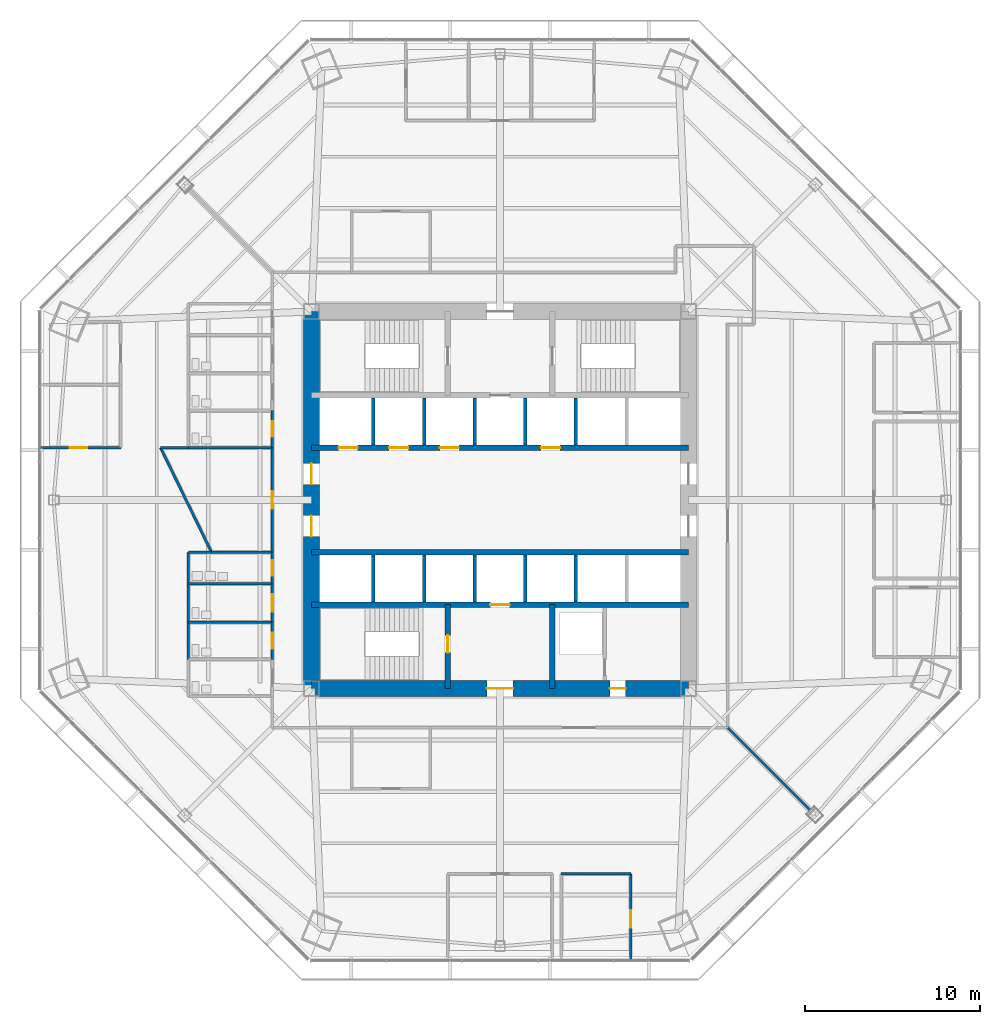
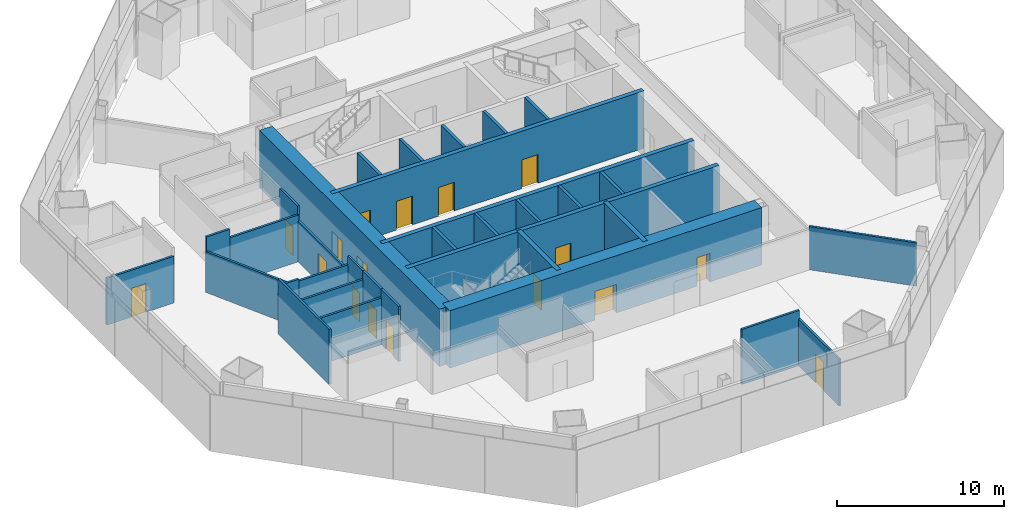
# One storey, part 10 of 15: 34 walls, 17 doors, 17 openings.
"""IFC4 building model written with IfcOpenShell, lengths in metres."""

from ifc_helpers import new_model, si_unit, direction, frame, frame_2d, origin, place, context, subcontext, project, spatial, rectangle, extrude, material, layer, layer_set, type_object, element, fill, save


model = new_model("IFC4")

# Units and contexts
model_context = context("Model", 3, precision=1e-05, world=origin(), true_north=direction((0.0, 1.0)))
body_context = subcontext(model_context, "Body", "Model", "MODEL_VIEW")
ifc_project = project(units=[si_unit("LENGTHUNIT", "METRE"), si_unit("AREAUNIT", "SQUARE_METRE"), si_unit("VOLUMEUNIT", "CUBIC_METRE"), si_unit("PLANEANGLEUNIT", "RADIAN"), si_unit("MASSUNIT", "GRAM", prefix="KILO")], contexts=[model_context])

# Site, building, storey
site_placement = place(None, origin())
site = spatial("IfcSite", under=ifc_project, at=site_placement, CompositionType="ELEMENT")
building_placement = place(site_placement, origin())
building = spatial("IfcBuilding", under=site, at=building_placement, Name="Mashrafa Tower", CompositionType="ELEMENT")
storey_placement = place(building_placement, frame((0.0, 0.0, 58.199951171875)))
storey = spatial("IfcBuildingStorey", under=building, at=storey_placement, Name="L12", CompositionType="ELEMENT", Elevation=58.199951171875)

# Wall, openings, doors
ifc_material_1 = material(Name="Concrete C60/75", Category="concrete")
ifc_layer_1 = layer(ifc_material_1, 0.300048828125)
ifc_layer_set_1 = layer_set([ifc_layer_1], Name="Core wall 300 C60/75")
wall_type_1 = type_object("IfcWallType", Name="Core wall 300 C60/75", PredefinedType="SOLIDWALL", material=ifc_layer_set_1)
wall_1_placement = place(storey_placement, frame((-10.800048828125, 3.0, 0.0), z_axis=(0.0, 0.0, 1.0), x_axis=(1.0, 0.0, 0.0)))
wall_1 = element("IfcWall", 1, at=wall_1_placement, inside=storey, type_object=wall_type_1, Name="Core wall CH-N L12", PredefinedType="SOLIDWALL", context=body_context, shape_type="SweptSolid", body=[
    extrude(rectangle(XDim=21.60009765625, YDim=0.300048828125, at=frame_2d((10.800048828125, 0.0))), origin(), (0.0, 0.0, 1.0), 4.199951171875),
])
opening_1_placement = place(wall_1_placement, frame((1.550048828125, 0.0, 0.0)))
opening_1 = element("IfcOpeningElement", 2, at=opening_1_placement, cuts=wall_1, Name="Opening 12.A1", PredefinedType="OPENING", context=body_context, shape_type="SweptSolid", body=[
    extrude(rectangle(XDim=1.10009765625, YDim=2.10009765625, at=frame_2d((0.550048828125, 1.050048828125))), frame((0.0, 0.159912109375, 0.0), z_axis=(0.0, -1.0, 0.0), x_axis=(1.0, 0.0, 0.0)), (0.0, 0.0, 1.0), 0.320068359375),
])
opening_2_placement = place(wall_1_placement, frame((4.449951171875, 0.0, 0.0)))
opening_2 = element("IfcOpeningElement", 3, at=opening_2_placement, cuts=wall_1, Name="Opening 12.A2", PredefinedType="OPENING", context=body_context, shape_type="SweptSolid", body=[
    extrude(rectangle(XDim=1.10009765625, YDim=2.10009765625, at=frame_2d((0.550048828125, 1.050048828125))), frame((0.0, 0.159912109375, 0.0), z_axis=(0.0, -1.0, 0.0), x_axis=(1.0, 0.0, 0.0)), (0.0, 0.0, 1.0), 0.320068359375),
])
opening_3_placement = place(wall_1_placement, frame((7.35009765625, 0.0, 0.0)))
opening_3 = element("IfcOpeningElement", 4, at=opening_3_placement, cuts=wall_1, Name="Opening 12.A3", PredefinedType="OPENING", context=body_context, shape_type="SweptSolid", body=[
    extrude(rectangle(XDim=1.10009765625, YDim=2.10009765625, at=frame_2d((0.550048828125, 1.050048828125))), frame((0.0, 0.159912109375, 0.0), z_axis=(0.0, -1.0, 0.0), x_axis=(1.0, 0.0, 0.0)), (0.0, 0.0, 1.0), 0.320068359375),
])
opening_4_placement = place(wall_1_placement, frame((13.14990234375, 0.0, 0.0)))
opening_4 = element("IfcOpeningElement", 5, at=opening_4_placement, cuts=wall_1, Name="Opening 12.A4", PredefinedType="OPENING", context=body_context, shape_type="SweptSolid", body=[
    extrude(rectangle(XDim=1.10009765625, YDim=2.10009765625, at=frame_2d((0.550048828125, 1.050048828125))), frame((0.0, 0.159912109375, 0.0), z_axis=(0.0, -1.0, 0.0), x_axis=(1.0, 0.0, 0.0)), (0.0, 0.0, 1.0), 0.320068359375),
])
ifc_material_2 = material(Name="Steel door", Category="steel")
door_type_1 = type_object("IfcDoorType", Name="Lift landing door 1100 x 2100 90 min", OperationType="DOUBLE_DOOR_SLIDING", PredefinedType="DOOR", material=ifc_material_2)
door_1_placement = place(opening_1_placement, origin())
door_1 = element("IfcDoor", 6, at=door_1_placement, inside=storey, type_object=door_type_1, Name="Lift landing door A1 L12", OperationType="DOUBLE_DOOR_SLIDING", OverallHeight=2.10009765625, OverallWidth=1.10009765625, PredefinedType="DOOR", context=body_context, shape_type="SweptSolid", body=[
    extrude(rectangle(XDim=1.10009765625, YDim=2.10009765625, at=frame_2d((0.550048828125, 1.050048828125))), frame((0.0, 0.02490234375, 0.0), z_axis=(0.0, -1.0, 0.0), x_axis=(1.0, 0.0, 0.0)), (0.0, 0.0, 1.0), 0.050048828125),
])
fill(opening_1, door_1)
door_2_placement = place(opening_2_placement, origin())
door_2 = element("IfcDoor", 7, at=door_2_placement, inside=storey, type_object=door_type_1, Name="Lift landing door A2 L12", OperationType="DOUBLE_DOOR_SLIDING", OverallHeight=2.10009765625, OverallWidth=1.10009765625, PredefinedType="DOOR", context=body_context, shape_type="SweptSolid", body=[
    extrude(rectangle(XDim=1.10009765625, YDim=2.10009765625, at=frame_2d((0.550048828125, 1.050048828125))), frame((0.0, 0.02490234375, 0.0), z_axis=(0.0, -1.0, 0.0), x_axis=(1.0, 0.0, 0.0)), (0.0, 0.0, 1.0), 0.050048828125),
])
fill(opening_2, door_2)
door_3_placement = place(opening_3_placement, origin())
door_3 = element("IfcDoor", 8, at=door_3_placement, inside=storey, type_object=door_type_1, Name="Lift landing door A3 L12", OperationType="DOUBLE_DOOR_SLIDING", OverallHeight=2.10009765625, OverallWidth=1.10009765625, PredefinedType="DOOR", context=body_context, shape_type="SweptSolid", body=[
    extrude(rectangle(XDim=1.10009765625, YDim=2.10009765625, at=frame_2d((0.550048828125, 1.050048828125))), frame((0.0, 0.02490234375, 0.0), z_axis=(0.0, -1.0, 0.0), x_axis=(1.0, 0.0, 0.0)), (0.0, 0.0, 1.0), 0.050048828125),
])
fill(opening_3, door_3)
door_4_placement = place(opening_4_placement, origin())
door_4 = element("IfcDoor", 9, at=door_4_placement, inside=storey, type_object=door_type_1, Name="Lift landing door A4 L12", OperationType="DOUBLE_DOOR_SLIDING", OverallHeight=2.10009765625, OverallWidth=1.10009765625, PredefinedType="DOOR", context=body_context, shape_type="SweptSolid", body=[
    extrude(rectangle(XDim=1.10009765625, YDim=2.10009765625, at=frame_2d((0.550048828125, 1.050048828125))), frame((0.0, 0.02490234375, 0.0), z_axis=(0.0, -1.0, 0.0), x_axis=(1.0, 0.0, 0.0)), (0.0, 0.0, 1.0), 0.050048828125),
])
fill(opening_4, door_4)

# Wall
wall_2_placement = place(storey_placement, frame((-10.800048828125, -3.0, 0.0), z_axis=(0.0, 0.0, 1.0), x_axis=(1.0, 0.0, 0.0)))
element("IfcWall", 10, at=wall_2_placement, inside=storey, type_object=wall_type_1, Name="Core wall CH-S L12", PredefinedType="SOLIDWALL", context=body_context, shape_type="SweptSolid", body=[
    extrude(rectangle(XDim=21.60009765625, YDim=0.300048828125, at=frame_2d((10.800048828125, 0.0))), origin(), (0.0, 0.0, 1.0), 4.199951171875),
])

# Wall, opening, door
wall_3_placement = place(storey_placement, frame((-10.800048828125, -6.0, 0.0), z_axis=(0.0, 0.0, 1.0), x_axis=(1.0, 0.0, 0.0)))
wall_3 = element("IfcWall", 11, at=wall_3_placement, inside=storey, type_object=wall_type_1, Name="Core wall CB-S L12", PredefinedType="SOLIDWALL", context=body_context, shape_type="SweptSolid", body=[
    extrude(rectangle(XDim=21.60009765625, YDim=0.300048828125, at=frame_2d((10.800048828125, 0.0))), origin(), (0.0, 0.0, 1.0), 4.199951171875),
])
opening_5_placement = place(wall_3_placement, frame((10.25, 0.0, 0.0)))
opening_5 = element("IfcOpeningElement", 12, at=opening_5_placement, cuts=wall_3, Name="Opening 12.F2", PredefinedType="OPENING", context=body_context, shape_type="SweptSolid", body=[
    extrude(rectangle(XDim=1.10009765625, YDim=2.10009765625, at=frame_2d((0.550048828125, 1.050048828125))), frame((0.0, 0.159912109375, 0.0), z_axis=(0.0, -1.0, 0.0), x_axis=(1.0, 0.0, 0.0)), (0.0, 0.0, 1.0), 0.320068359375),
])
door_5_placement = place(opening_5_placement, origin())
door_5 = element("IfcDoor", 13, at=door_5_placement, inside=storey, type_object=door_type_1, Name="Lift landing door F2 L12", OperationType="DOUBLE_DOOR_SLIDING", OverallHeight=2.10009765625, OverallWidth=1.10009765625, PredefinedType="DOOR", context=body_context, shape_type="SweptSolid", body=[
    extrude(rectangle(XDim=1.10009765625, YDim=2.10009765625, at=frame_2d((0.550048828125, 1.050048828125))), frame((0.0, 0.02490234375, 0.0), z_axis=(0.0, -1.0, 0.0), x_axis=(1.0, 0.0, 0.0)), (0.0, 0.0, 1.0), 0.050048828125),
])
fill(opening_5, door_5)

wall_4_placement = place(storey_placement, frame((-3.0, -6.0, 0.0), z_axis=(0.0, 0.0, 1.0), x_axis=(0.0, -1.0, 0.0)))
wall_4 = element("IfcWall", 14, at=wall_4_placement, inside=storey, type_object=wall_type_1, Name="Core wall CX-SW L12", PredefinedType="SOLIDWALL", context=body_context, shape_type="SweptSolid", body=[
    extrude(rectangle(XDim=4.800048828125, YDim=0.300048828125, at=frame_2d((2.39990234375, 0.0))), origin(), (0.0, 0.0, 1.0), 4.199951171875),
])
opening_6_placement = place(wall_4_placement, frame((1.75, 0.0, 0.0)))
opening_6 = element("IfcOpeningElement", 15, at=opening_6_placement, cuts=wall_4, Name="Opening 12.032", PredefinedType="OPENING", context=body_context, shape_type="SweptSolid", body=[
    extrude(rectangle(XDim=1.0, YDim=2.10009765625, at=frame_2d((0.5, 1.050048828125))), frame((0.0, 0.159912109375, 0.0), z_axis=(0.0, -1.0, 0.0), x_axis=(1.0, 0.0, 0.0)), (0.0, 0.0, 1.0), 0.320068359375),
])
ifc_material_3 = material(Name="Steel door", Category="steel")
door_type_2 = type_object("IfcDoorType", Name="Stair door 1000 x 2100 90 min", OperationType="USERDEFINED", PredefinedType="DOOR", material=ifc_material_3)
door_6_placement = place(opening_6_placement, frame((1.0, 0.0, 0.0), z_axis=(0.0, 0.0, 1.0), x_axis=(-1.0, 0.0, 0.0)))
door_6 = element("IfcDoor", 16, at=door_6_placement, inside=storey, type_object=door_type_2, Name="Stair S3 door L12", OperationType="SINGLE_SWING_RIGHT", OverallHeight=2.10009765625, OverallWidth=1.0, PredefinedType="DOOR", context=body_context, shape_type="SweptSolid", body=[
    extrude(rectangle(XDim=1.0, YDim=2.10009765625, at=frame_2d((0.5, 1.050048828125))), frame((0.0, 0.02490234375, 0.0), z_axis=(0.0, -1.0, 0.0), x_axis=(1.0, 0.0, 0.0)), (0.0, 0.0, 1.0), 0.050048828125),
])
fill(opening_6, door_6)

# Wall
wall_5_placement = place(storey_placement, frame((3.0, -6.0, 0.0), z_axis=(0.0, 0.0, 1.0), x_axis=(0.0, -1.0, 0.0)))
element("IfcWall", 17, at=wall_5_placement, inside=storey, type_object=wall_type_1, Name="Core wall CX-SE L12", PredefinedType="SOLIDWALL", context=body_context, shape_type="SweptSolid", body=[
    extrude(rectangle(XDim=4.800048828125, YDim=0.300048828125, at=frame_2d((2.39990234375, 0.0))), origin(), (0.0, 0.0, 1.0), 4.199951171875),
])

# Wall, openings, doors
ifc_material_4 = material(Name="Concrete C60/75", Category="concrete")
ifc_layer_2 = layer(ifc_material_4, 0.89990234375)
ifc_layer_set_2 = layer_set([ifc_layer_2], Name="Core wall 900 C60/75")
wall_type_2 = type_object("IfcWallType", Name="Core wall 900 C60/75", PredefinedType="SOLIDWALL", material=ifc_layer_set_2)
wall_6_placement = place(storey_placement, frame((-10.800048828125, -10.800048828125, 0.0), z_axis=(0.0, 0.0, 1.0), x_axis=(1.0, 0.0, 0.0)))
wall_6 = element("IfcWall", 18, at=wall_6_placement, inside=storey, type_object=wall_type_2, Name="Core wall CW-S L12", PredefinedType="SOLIDWALL", context=body_context, shape_type="SweptSolid", body=[
    extrude(rectangle(XDim=21.60009765625, YDim=0.89990234375, at=frame_2d((10.800048828125, 0.0))), origin(), (0.0, 0.0, 1.0), 4.199951171875),
])
opening_7_placement = place(wall_6_placement, frame((10.050048828125, 0.0, 0.0)))
opening_7 = element("IfcOpeningElement", 19, at=opening_7_placement, cuts=wall_6, Name="Opening 12.029", PredefinedType="OPENING", context=body_context, shape_type="SweptSolid", body=[
    extrude(rectangle(XDim=1.5, YDim=2.10009765625, at=frame_2d((0.75, 1.050048828125))), frame((0.0, 0.4599609375, 0.0), z_axis=(0.0, -1.0, 0.0), x_axis=(1.0, 0.0, 0.0)), (0.0, 0.0, 1.0), 0.919921875),
])
opening_8_placement = place(wall_6_placement, frame((17.10009765625, 0.0, 0.0)))
opening_8 = element("IfcOpeningElement", 20, at=opening_8_placement, cuts=wall_6, Name="Opening 12.033", PredefinedType="OPENING", context=body_context, shape_type="SweptSolid", body=[
    extrude(rectangle(XDim=0.89990234375, YDim=2.10009765625, at=frame_2d((0.449951171875, 1.050048828125))), frame((0.0, 0.4599609375, 0.0), z_axis=(0.0, -1.0, 0.0), x_axis=(1.0, 0.0, 0.0)), (0.0, 0.0, 1.0), 0.919921875),
])
ifc_material_5 = material(Name="Steel door", Category="steel")
door_type_3 = type_object("IfcDoorType", Name="Lobby door pair 1500 x 2100 90 min", OperationType="DOUBLE_DOOR_SINGLE_SWING", PredefinedType="DOOR", material=ifc_material_5)
door_7_placement = place(opening_7_placement, origin())
door_7 = element("IfcDoor", 21, at=door_7_placement, inside=storey, type_object=door_type_3, Name="Fire-fighting lobby F2 door L12", OperationType="DOUBLE_DOOR_SINGLE_SWING", OverallHeight=2.10009765625, OverallWidth=1.5, PredefinedType="DOOR", context=body_context, shape_type="SweptSolid", body=[
    extrude(rectangle(XDim=1.5, YDim=2.10009765625, at=frame_2d((0.75, 1.050048828125))), frame((0.0, 0.02490234375, 0.0), z_axis=(0.0, -1.0, 0.0), x_axis=(1.0, 0.0, 0.0)), (0.0, 0.0, 1.0), 0.050048828125),
])
fill(opening_7, door_7)
ifc_material_6 = material(Name="Steel door", Category="steel")
door_type_4 = type_object("IfcDoorType", Name="Service door 900 x 2100 90 min", OperationType="USERDEFINED", PredefinedType="DOOR", material=ifc_material_6)
door_8_placement = place(opening_8_placement, origin())
door_8 = element("IfcDoor", 22, at=door_8_placement, inside=storey, type_object=door_type_4, Name="Communications Room L12 door", OperationType="SINGLE_SWING_LEFT", OverallHeight=2.10009765625, OverallWidth=0.89990234375, PredefinedType="DOOR", context=body_context, shape_type="SweptSolid", body=[
    extrude(rectangle(XDim=0.89990234375, YDim=2.10009765625, at=frame_2d((0.449951171875, 1.050048828125))), frame((0.0, 0.02490234375, 0.0), z_axis=(0.0, -1.0, 0.0), x_axis=(1.0, 0.0, 0.0)), (0.0, 0.0, 1.0), 0.050048828125),
])
fill(opening_8, door_8)

wall_7_placement = place(storey_placement, frame((-10.800048828125, 10.800048828125, 0.0), z_axis=(0.0, 0.0, 1.0), x_axis=(0.0, -1.0, 0.0)))
wall_7 = element("IfcWall", 23, at=wall_7_placement, inside=storey, type_object=wall_type_2, Name="Core wall CW-W L12", PredefinedType="SOLIDWALL", context=body_context, shape_type="SweptSolid", body=[
    extrude(rectangle(XDim=21.60009765625, YDim=0.89990234375, at=frame_2d((10.800048828125, 0.0))), origin(), (0.0, 0.0, 1.0), 4.199951171875),
])
opening_9_placement = place(wall_7_placement, frame((8.699951171875, 0.0, 0.0)))
opening_9 = element("IfcOpeningElement", 24, at=opening_9_placement, cuts=wall_7, Name="Opening 12.025", PredefinedType="OPENING", context=body_context, shape_type="SweptSolid", body=[
    extrude(rectangle(XDim=1.199951171875, YDim=2.10009765625, at=frame_2d((0.60009765625, 1.050048828125))), frame((0.0, 0.4599609375, 0.0), z_axis=(0.0, -1.0, 0.0), x_axis=(1.0, 0.0, 0.0)), (0.0, 0.0, 1.0), 0.919921875),
])
opening_10_placement = place(wall_7_placement, frame((11.699951171875, 0.0, 0.0)))
opening_10 = element("IfcOpeningElement", 25, at=opening_10_placement, cuts=wall_7, Name="Opening 12.027", PredefinedType="OPENING", context=body_context, shape_type="SweptSolid", body=[
    extrude(rectangle(XDim=1.199951171875, YDim=2.10009765625, at=frame_2d((0.60009765625, 1.050048828125))), frame((0.0, 0.4599609375, 0.0), z_axis=(0.0, -1.0, 0.0), x_axis=(1.0, 0.0, 0.0)), (0.0, 0.0, 1.0), 0.919921875),
])
ifc_material_7 = material(Name="Steel door", Category="steel")
door_type_5 = type_object("IfcDoorType", Name="Lift hall door 1200 x 2100 90 min", OperationType="USERDEFINED", PredefinedType="DOOR", material=ifc_material_7)
door_9_placement = place(opening_9_placement, frame((1.199951171875, 0.0, 0.0), z_axis=(0.0, 0.0, 1.0), x_axis=(-1.0, 0.0, 0.0)))
door_9 = element("IfcDoor", 26, at=door_9_placement, inside=storey, type_object=door_type_5, Name="Lift hall door west L12", OperationType="SINGLE_SWING_RIGHT", OverallHeight=2.10009765625, OverallWidth=1.199951171875, PredefinedType="DOOR", context=body_context, shape_type="SweptSolid", body=[
    extrude(rectangle(XDim=1.199951171875, YDim=2.10009765625, at=frame_2d((0.60009765625, 1.050048828125))), frame((0.0, 0.02490234375, 0.0), z_axis=(0.0, -1.0, 0.0), x_axis=(1.0, 0.0, 0.0)), (0.0, 0.0, 1.0), 0.050048828125),
])
fill(opening_9, door_9)
door_10_placement = place(opening_10_placement, frame((1.199951171875, 0.0, 0.0), z_axis=(0.0, 0.0, 1.0), x_axis=(-1.0, 0.0, 0.0)))
door_10 = element("IfcDoor", 27, at=door_10_placement, inside=storey, type_object=door_type_5, Name="Lift hall door west L12", OperationType="SINGLE_SWING_LEFT", OverallHeight=2.10009765625, OverallWidth=1.199951171875, PredefinedType="DOOR", context=body_context, shape_type="SweptSolid", body=[
    extrude(rectangle(XDim=1.199951171875, YDim=2.10009765625, at=frame_2d((0.60009765625, 1.050048828125))), frame((0.0, 0.02490234375, 0.0), z_axis=(0.0, -1.0, 0.0), x_axis=(1.0, 0.0, 0.0)), (0.0, 0.0, 1.0), 0.050048828125),
])
fill(opening_10, door_10)

# Wall, opening, door
ifc_material_8 = material(Name="Gypsum board on steel studs", Category="steel")
ifc_layer_3 = layer(ifc_material_8, 0.14990234375)
ifc_layer_set_3 = layer_set([ifc_layer_3], Name="Corridor partition 150 1 hr")
wall_type_3 = type_object("IfcWallType", Name="Corridor partition 150 1 hr", PredefinedType="PARTITIONING", material=ifc_layer_set_3)
wall_8_placement = place(storey_placement, frame((-13.050048828125, 5.1259765625, 0.0), z_axis=(0.0, 0.0, 1.0), x_axis=(0.0, -1.0, 0.0)))
wall_8 = element("IfcWall", 28, at=wall_8_placement, inside=storey, type_object=wall_type_3, Name="Corridor wall L12-001", PredefinedType="PARTITIONING", context=body_context, shape_type="SweptSolid", body=[
    extrude(rectangle(XDim=2.126953125, YDim=0.14990234375, at=frame_2d((1.0634765625, 0.0))), origin(), (0.0, 0.0, 1.0), 4.03515625),
])
opening_11_placement = place(wall_8_placement, frame((0.613525390625, 0.0, 0.0)))
opening_11 = element("IfcOpeningElement", 29, at=opening_11_placement, cuts=wall_8, Name="Opening 12.001", PredefinedType="OPENING", context=body_context, shape_type="SweptSolid", body=[
    extrude(rectangle(XDim=0.89990234375, YDim=2.10009765625, at=frame_2d((0.449951171875, 1.050048828125))), frame((0.0, 0.0849609375, 0.0), z_axis=(0.0, -1.0, 0.0), x_axis=(1.0, 0.0, 0.0)), (0.0, 0.0, 1.0), 0.169921875),
])
ifc_material_9 = material(Name="Timber door", Category="wood")
door_type_6 = type_object("IfcDoorType", Name="Toilet door 900 x 2100", OperationType="USERDEFINED", PredefinedType="DOOR", material=ifc_material_9)
door_11_placement = place(opening_11_placement, frame((0.89990234375, 0.0, 0.0), z_axis=(0.0, 0.0, 1.0), x_axis=(-1.0, 0.0, 0.0)))
door_11 = element("IfcDoor", 30, at=door_11_placement, inside=storey, type_object=door_type_6, Name="WC Female L12 N door", OperationType="SINGLE_SWING_RIGHT", OverallHeight=2.10009765625, OverallWidth=0.89990234375, PredefinedType="DOOR", context=body_context, shape_type="SweptSolid", body=[
    extrude(rectangle(XDim=0.89990234375, YDim=2.10009765625, at=frame_2d((0.449951171875, 1.050048828125))), frame((0.0, 0.02490234375, 0.0), z_axis=(0.0, -1.0, 0.0), x_axis=(1.0, 0.0, 0.0)), (0.0, 0.0, 1.0), 0.050048828125),
])
fill(opening_11, door_11)

wall_9_placement = place(storey_placement, frame((-13.050048828125, -6.9990234375, 0.0), z_axis=(0.0, 0.0, 1.0), x_axis=(0.0, -1.0, 0.0)))
wall_9 = element("IfcWall", 31, at=wall_9_placement, inside=storey, type_object=wall_type_3, Name="Corridor wall L12-006", PredefinedType="PARTITIONING", context=body_context, shape_type="SweptSolid", body=[
    extrude(rectangle(XDim=2.126953125, YDim=0.14990234375, at=frame_2d((1.0634765625, 0.0))), origin(), (0.0, 0.0, 1.0), 4.03515625),
])
opening_12_placement = place(wall_9_placement, frame((0.613525390625, 0.0, 0.0)))
opening_12 = element("IfcOpeningElement", 32, at=opening_12_placement, cuts=wall_9, Name="Opening 12.006", PredefinedType="OPENING", context=body_context, shape_type="SweptSolid", body=[
    extrude(rectangle(XDim=0.89990234375, YDim=2.10009765625, at=frame_2d((0.449951171875, 1.050048828125))), frame((0.0, 0.0849609375, 0.0), z_axis=(0.0, -1.0, 0.0), x_axis=(1.0, 0.0, 0.0)), (0.0, 0.0, 1.0), 0.169921875),
])
door_12_placement = place(opening_12_placement, frame((0.89990234375, 0.0, 0.0), z_axis=(0.0, 0.0, 1.0), x_axis=(-1.0, 0.0, 0.0)))
door_12 = element("IfcDoor", 33, at=door_12_placement, inside=storey, type_object=door_type_6, Name="WC Male L12 S door", OperationType="SINGLE_SWING_RIGHT", OverallHeight=2.10009765625, OverallWidth=0.89990234375, PredefinedType="DOOR", context=body_context, shape_type="SweptSolid", body=[
    extrude(rectangle(XDim=0.89990234375, YDim=2.10009765625, at=frame_2d((0.449951171875, 1.050048828125))), frame((0.0, 0.02490234375, 0.0), z_axis=(0.0, -1.0, 0.0), x_axis=(1.0, 0.0, 0.0)), (0.0, 0.0, 1.0), 0.050048828125),
])
fill(opening_12, door_12)

wall_10_placement = place(storey_placement, frame((-13.050048828125, -4.799072265625, 0.0), z_axis=(0.0, 0.0, 1.0), x_axis=(0.0, -1.0, 0.0)))
wall_10 = element("IfcWall", 34, at=wall_10_placement, inside=storey, type_object=wall_type_3, Name="Corridor wall L12-007", PredefinedType="PARTITIONING", context=body_context, shape_type="SweptSolid", body=[
    extrude(rectangle(XDim=2.201904296875, YDim=0.14990234375, at=frame_2d((1.10107421875, 0.0))), origin(), (0.0, 0.0, 1.0), 4.03515625),
])
opening_13_placement = place(wall_10_placement, frame((0.60107421875, 0.0, 0.0)))
opening_13 = element("IfcOpeningElement", 35, at=opening_13_placement, cuts=wall_10, Name="Opening 12.007", PredefinedType="OPENING", context=body_context, shape_type="SweptSolid", body=[
    extrude(rectangle(XDim=1.0, YDim=2.10009765625, at=frame_2d((0.5, 1.050048828125))), frame((0.0, 0.0849609375, 0.0), z_axis=(0.0, -1.0, 0.0), x_axis=(1.0, 0.0, 0.0)), (0.0, 0.0, 1.0), 0.169921875),
])
ifc_material_10 = material(Name="Timber door", Category="wood")
door_type_7 = type_object("IfcDoorType", Name="Accessible toilet door 1000 x 2100", OperationType="USERDEFINED", PredefinedType="DOOR", material=ifc_material_10)
door_13_placement = place(opening_13_placement, frame((1.0, 0.0, 0.0), z_axis=(0.0, 0.0, 1.0), x_axis=(-1.0, 0.0, 0.0)))
door_13 = element("IfcDoor", 36, at=door_13_placement, inside=storey, type_object=door_type_7, Name="Accessible WC L12 S door", OperationType="SINGLE_SWING_LEFT", OverallHeight=2.10009765625, OverallWidth=1.0, PredefinedType="DOOR", context=body_context, shape_type="SweptSolid", body=[
    extrude(rectangle(XDim=1.0, YDim=2.10009765625, at=frame_2d((0.5, 1.050048828125))), frame((0.0, 0.02490234375, 0.0), z_axis=(0.0, -1.0, 0.0), x_axis=(1.0, 0.0, 0.0)), (0.0, 0.0, 1.0), 0.050048828125),
])
fill(opening_13, door_13)

wall_11_placement = place(storey_placement, frame((-13.050048828125, -2.9990234375, 0.0), z_axis=(0.0, 0.0, 1.0), x_axis=(0.0, -1.0, 0.0)))
wall_11 = element("IfcWall", 37, at=wall_11_placement, inside=storey, type_object=wall_type_3, Name="Corridor wall L12-008", PredefinedType="PARTITIONING", context=body_context, shape_type="SweptSolid", body=[
    extrude(rectangle(XDim=1.802001953125, YDim=0.14990234375, at=frame_2d((0.90087890625, 0.0))), origin(), (0.0, 0.0, 1.0), 4.03515625),
])
opening_14_placement = place(wall_11_placement, frame((0.450927734375, 0.0, 0.0)))
opening_14 = element("IfcOpeningElement", 38, at=opening_14_placement, cuts=wall_11, Name="Opening 12.008", PredefinedType="OPENING", context=body_context, shape_type="SweptSolid", body=[
    extrude(rectangle(XDim=0.89990234375, YDim=2.10009765625, at=frame_2d((0.449951171875, 1.050048828125))), frame((0.0, 0.0849609375, 0.0), z_axis=(0.0, -1.0, 0.0), x_axis=(1.0, 0.0, 0.0)), (0.0, 0.0, 1.0), 0.169921875),
])
door_14_placement = place(opening_14_placement, frame((0.89990234375, 0.0, 0.0), z_axis=(0.0, 0.0, 1.0), x_axis=(-1.0, 0.0, 0.0)))
door_14 = element("IfcDoor", 39, at=door_14_placement, inside=storey, type_object=door_type_6, Name="Ablution Room L12 S door", OperationType="SINGLE_SWING_RIGHT", OverallHeight=2.10009765625, OverallWidth=0.89990234375, PredefinedType="DOOR", context=body_context, shape_type="SweptSolid", body=[
    extrude(rectangle(XDim=0.89990234375, YDim=2.10009765625, at=frame_2d((0.449951171875, 1.050048828125))), frame((0.0, 0.02490234375, 0.0), z_axis=(0.0, -1.0, 0.0), x_axis=(1.0, 0.0, 0.0)), (0.0, 0.0, 1.0), 0.050048828125),
])
fill(opening_14, door_14)

wall_12_placement = place(storey_placement, frame((-13.050048828125, 3.0009765625, 0.0), z_axis=(0.0, 0.0, 1.0), x_axis=(0.0, -1.0, 0.0)))
wall_12 = element("IfcWall", 40, at=wall_12_placement, inside=storey, type_object=wall_type_3, Name="Corridor wall L12-009", PredefinedType="PARTITIONING", context=body_context, shape_type="SweptSolid", body=[
    extrude(rectangle(XDim=6.001953125, YDim=0.14990234375, at=frame_2d((3.0009765625, 0.0))), origin(), (0.0, 0.0, 1.0), 2.983642578125),
])
opening_15_placement = place(wall_12_placement, frame((2.5009765625, 0.0, 0.0)))
opening_15 = element("IfcOpeningElement", 41, at=opening_15_placement, cuts=wall_12, Name="Opening 12.009", PredefinedType="OPENING", context=body_context, shape_type="SweptSolid", body=[
    extrude(rectangle(XDim=1.0, YDim=2.10009765625, at=frame_2d((0.5, 1.050048828125))), frame((0.0, 0.0849609375, 0.0), z_axis=(0.0, -1.0, 0.0), x_axis=(1.0, 0.0, 0.0)), (0.0, 0.0, 1.0), 0.169921875),
])
ifc_material_11 = material(Name="Timber door", Category="wood")
door_type_8 = type_object("IfcDoorType", Name="Door 1000 x 2100", OperationType="USERDEFINED", PredefinedType="DOOR", material=ifc_material_11)
door_15_placement = place(opening_15_placement, frame((1.0, 0.0, 0.0), z_axis=(0.0, 0.0, 1.0), x_axis=(-1.0, 0.0, 0.0)))
door_15 = element("IfcDoor", 42, at=door_15_placement, inside=storey, type_object=door_type_8, Name="Musallah Prayer Room 12 door", OperationType="SINGLE_SWING_LEFT", OverallHeight=2.10009765625, OverallWidth=1.0, PredefinedType="DOOR", context=body_context, shape_type="SweptSolid", body=[
    extrude(rectangle(XDim=1.0, YDim=2.10009765625, at=frame_2d((0.5, 1.050048828125))), frame((0.0, 0.02490234375, 0.0), z_axis=(0.0, -1.0, 0.0), x_axis=(1.0, 0.0, 0.0)), (0.0, 0.0, 1.0), 0.050048828125),
])
fill(opening_15, door_15)

# Walls
ifc_material_12 = material(Name="Gypsum board on steel studs", Category="steel")
ifc_layer_4 = layer(ifc_material_12, 0.14990234375)
ifc_layer_set_4 = layer_set([ifc_layer_4], Name="Partition 150")
wall_type_4 = type_object("IfcWallType", Name="Partition 150", PredefinedType="PARTITIONING", material=ifc_layer_set_4)
for number, where, z_axis, x_axis, name in (
    (43, (-17.85009765625, 3.0, 0.0), (0.0, 0.0, 1.0), (1.0, 0.0, 0.0), "Partition wall L12-024"),
    (44, (-13.050048828125, -7.0, 0.0), (0.0, 0.0, 1.0), (-1.0, 0.0, 0.0), "Partition wall L12-035"),
):
    element("IfcWall", number, at=place(storey_placement, frame(where, z_axis=z_axis, x_axis=x_axis)), inside=storey, type_object=wall_type_4, Name=name, PredefinedType="PARTITIONING", context=body_context, shape_type="SweptSolid", body=[
        extrude(rectangle(XDim=4.800048828125, YDim=0.14990234375, at=frame_2d((2.39990234375, 0.0))), origin(), (0.0, 0.0, 1.0), 3.423095703125),
    ])
wall_13_placement = place(storey_placement, frame((-17.85009765625, -9.125, 0.0), z_axis=(0.0, 0.0, 1.0), x_axis=(0.0, 1.0, 0.0)))
element("IfcWall", 45, at=wall_13_placement, inside=storey, type_object=wall_type_4, Name="Partition wall L12-036", PredefinedType="PARTITIONING", context=body_context, shape_type="SweptSolid", body=[
    extrude(rectangle(XDim=6.125, YDim=0.14990234375, at=frame_2d((3.0625, 0.0))), origin(), (0.0, 0.0, 1.0), 4.03515625),
])
wall_14_placement = place(storey_placement, frame((-13.050048828125, -4.800048828125, 0.0), z_axis=(0.0, 0.0, 1.0), x_axis=(-1.0, 0.0, 0.0)))
element("IfcWall", 46, at=wall_14_placement, inside=storey, type_object=wall_type_4, Name="Partition wall L12-037", PredefinedType="PARTITIONING", context=body_context, shape_type="SweptSolid", body=[
    extrude(rectangle(XDim=4.800048828125, YDim=0.14990234375, at=frame_2d((2.39990234375, 0.0))), origin(), (0.0, 0.0, 1.0), 3.423095703125),
])
wall_15_placement = place(storey_placement, frame((-13.050048828125, -3.0, 0.0), z_axis=(0.0, 0.0, 1.0), x_axis=(-1.0, 0.0, 0.0)))
element("IfcWall", 47, at=wall_15_placement, inside=storey, type_object=wall_type_4, Name="Partition wall L12-039", PredefinedType="PARTITIONING", context=body_context, shape_type="SweptSolid", body=[
    extrude(rectangle(XDim=3.474609375, YDim=0.14990234375, at=frame_2d((1.7373046875, 0.0))), origin(), (0.0, 0.0, 1.0), 3.423095703125),
])
wall_16_placement = place(storey_placement, frame((-16.5224609375, -3.0, 0.0), z_axis=(0.0, 0.0, 1.0), x_axis=(-1.0, 0.0, 0.0)))
element("IfcWall", 48, at=wall_16_placement, inside=storey, type_object=wall_type_4, Name="Partition wall L12-040", PredefinedType="PARTITIONING", context=body_context, shape_type="SweptSolid", body=[
    extrude(rectangle(XDim=1.32763671875, YDim=0.14990234375, at=frame_2d((0.663818359375, 0.0))), origin(), (0.0, 0.0, 1.0), 3.5654296875),
])
wall_17_placement = place(storey_placement, frame((-17.84912109375, 3.0, 0.0), z_axis=(0.0, 0.0, 1.0), x_axis=(-1.0, 0.0, 0.0)))
element("IfcWall", 49, at=wall_17_placement, inside=storey, type_object=wall_type_4, Name="Partition wall L12-042", PredefinedType="PARTITIONING", context=body_context, shape_type="SweptSolid", body=[
    extrude(rectangle(XDim=1.600830078125, YDim=0.14990234375, at=frame_2d((0.80029296875, 0.0))), origin(), (0.0, 0.0, 1.0), 4.03515625),
])
wall_18_placement = place(storey_placement, frame((-19.449951171875, 3.0, 0.0), z_axis=(0.0, 0.0, 1.0), x_axis=(0.43835589904, -0.898801482963, 0.0)))
element("IfcWall", 50, at=wall_18_placement, inside=storey, type_object=wall_type_4, Name="Partition wall L12-043", PredefinedType="PARTITIONING", context=body_context, shape_type="SweptSolid", body=[
    extrude(rectangle(XDim=6.675537109375, YDim=0.14990234375, at=frame_2d((3.337890625, 0.0))), origin(), (0.0, 0.0, 1.0), 2.983642578125),
])

# Wall, opening, door
wall_19_placement = place(storey_placement, frame((-26.352294921875, 3.001953125, 0.0), z_axis=(0.0, 0.0, 1.0), x_axis=(1.0, 0.0, 0.0)))
wall_19 = element("IfcWall", 51, at=wall_19_placement, inside=storey, type_object=wall_type_4, Name="Partition wall L12-066", PredefinedType="PARTITIONING", context=body_context, shape_type="SweptSolid", body=[
    extrude(rectangle(XDim=4.634033203125, YDim=0.14990234375, at=frame_2d((2.31689453125, 0.0))), origin(), (0.0, 0.0, 1.0), 3.423095703125),
])
opening_16_placement = place(wall_19_placement, frame((1.698974609375, 0.0, 0.0)))
opening_16 = element("IfcOpeningElement", 52, at=opening_16_placement, cuts=wall_19, Name="Opening 12.018", PredefinedType="OPENING", context=body_context, shape_type="SweptSolid", body=[
    extrude(rectangle(XDim=1.0, YDim=2.10009765625, at=frame_2d((0.5, 1.050048828125))), frame((0.0, 0.0849609375, 0.0), z_axis=(0.0, -1.0, 0.0), x_axis=(1.0, 0.0, 0.0)), (0.0, 0.0, 1.0), 0.169921875),
])
door_16_placement = place(opening_16_placement, origin())
door_16 = element("IfcDoor", 53, at=door_16_placement, inside=storey, type_object=door_type_8, Name="Office 12-B-2 door", OperationType="SINGLE_SWING_LEFT", OverallHeight=2.10009765625, OverallWidth=1.0, PredefinedType="DOOR", context=body_context, shape_type="SweptSolid", body=[
    extrude(rectangle(XDim=1.0, YDim=2.10009765625, at=frame_2d((0.5, 1.050048828125))), frame((0.0, 0.02490234375, 0.0), z_axis=(0.0, -1.0, 0.0), x_axis=(1.0, 0.0, 0.0)), (0.0, 0.0, 1.0), 0.050048828125),
])
fill(opening_16, door_16)

wall_20_placement = place(storey_placement, frame((7.5, -26.352294921875, 0.0), z_axis=(0.0, 0.0, 1.0), x_axis=(0.0, 1.0, 0.0)))
wall_20 = element("IfcWall", 54, at=wall_20_placement, inside=storey, type_object=wall_type_4, Name="Partition wall L12-076", PredefinedType="PARTITIONING", context=body_context, shape_type="SweptSolid", body=[
    extrude(rectangle(XDim=4.93408203125, YDim=0.14990234375, at=frame_2d((2.467041015625, 0.0))), origin(), (0.0, 0.0, 1.0), 3.423095703125),
])
opening_17_placement = place(wall_20_placement, frame((1.84912109375, 0.0, 0.0)))
opening_17 = element("IfcOpeningElement", 55, at=opening_17_placement, cuts=wall_20, Name="Opening 12.021", PredefinedType="OPENING", context=body_context, shape_type="SweptSolid", body=[
    extrude(rectangle(XDim=1.0, YDim=2.10009765625, at=frame_2d((0.5, 1.050048828125))), frame((0.0, 0.0849609375, 0.0), z_axis=(0.0, -1.0, 0.0), x_axis=(1.0, 0.0, 0.0)), (0.0, 0.0, 1.0), 0.169921875),
])
door_17_placement = place(opening_17_placement, origin())
door_17 = element("IfcDoor", 56, at=door_17_placement, inside=storey, type_object=door_type_8, Name="Interview Room 12-B door", OperationType="SINGLE_SWING_LEFT", OverallHeight=2.10009765625, OverallWidth=1.0, PredefinedType="DOOR", context=body_context, shape_type="SweptSolid", body=[
    extrude(rectangle(XDim=1.0, YDim=2.10009765625, at=frame_2d((0.5, 1.050048828125))), frame((0.0, 0.02490234375, 0.0), z_axis=(0.0, -1.0, 0.0), x_axis=(1.0, 0.0, 0.0)), (0.0, 0.0, 1.0), 0.050048828125),
])
fill(opening_17, door_17)

# Walls
wall_21_placement = place(storey_placement, frame((7.5, -21.418212890625, 0.0), z_axis=(0.0, 0.0, 1.0), x_axis=(-1.0, 0.0, 0.0)))
element("IfcWall", 57, at=wall_21_placement, inside=storey, type_object=wall_type_4, Name="Partition wall L12-077", PredefinedType="PARTITIONING", context=body_context, shape_type="SweptSolid", body=[
    extrude(rectangle(XDim=4.0, YDim=0.14990234375, at=frame_2d((2.0, 0.0))), origin(), (0.0, 0.0, 1.0), 4.03515625),
])
wall_22_placement = place(storey_placement, frame((13.050048828125, -13.050048828125, 0.0), z_axis=(0.0, 0.0, 1.0), x_axis=(0.707106781187, -0.707106781187, 0.0)))
element("IfcWall", 58, at=wall_22_placement, inside=storey, type_object=wall_type_4, Name="Partition wall L12-080", PredefinedType="PARTITIONING", context=body_context, shape_type="SweptSolid", body=[
    extrude(rectangle(XDim=6.675048828125, YDim=0.14990234375, at=frame_2d((3.33740234375, 0.0))), origin(), (0.0, 0.0, 1.0), 3.16650390625),
])
ifc_material_13 = material(Name="Gypsum shaft wall on steel studs", Category="steel")
ifc_layer_5 = layer(ifc_material_13, 0.199951171875)
ifc_layer_set_5 = layer_set([ifc_layer_5], Name="Shaft divider wall 200 2 hr")
wall_type_5 = type_object("IfcWallType", Name="Shaft divider wall 200 2 hr", PredefinedType="PARTITIONING", material=ifc_layer_set_5)
for number, where, z_axis, x_axis, name in (
    (59, (-7.25, 3.14990234375, 0.0), (0.0, 0.0, 1.0), (0.0, 1.0, 0.0), "Shaft divider wall N1 L12"),
    (60, (-4.35009765625, 3.14990234375, 0.0), (0.0, 0.0, 1.0), (0.0, 1.0, 0.0), "Shaft divider wall N2 L12"),
    (61, (-1.449951171875, 3.14990234375, 0.0), (0.0, 0.0, 1.0), (0.0, 1.0, 0.0), "Shaft divider wall N3 L12"),
    (62, (1.449951171875, 3.14990234375, 0.0), (0.0, 0.0, 1.0), (0.0, 1.0, 0.0), "Shaft divider wall N4 L12"),
    (63, (4.35009765625, 3.14990234375, 0.0), (0.0, 0.0, 1.0), (0.0, 1.0, 0.0), "Shaft divider wall N5 L12"),
    (64, (-7.25, -5.85009765625, 0.0), (0.0, 0.0, 1.0), (0.0, 1.0, 0.0), "Shaft divider wall S1 L12"),
    (65, (-4.35009765625, -5.85009765625, 0.0), (0.0, 0.0, 1.0), (0.0, 1.0, 0.0), "Shaft divider wall S2 L12"),
    (66, (-1.449951171875, -5.85009765625, 0.0), (0.0, 0.0, 1.0), (0.0, 1.0, 0.0), "Shaft divider wall S3 L12"),
    (67, (1.449951171875, -5.85009765625, 0.0), (0.0, 0.0, 1.0), (0.0, 1.0, 0.0), "Shaft divider wall S4 L12"),
    (68, (4.35009765625, -5.85009765625, 0.0), (0.0, 0.0, 1.0), (0.0, 1.0, 0.0), "Shaft divider wall S5 L12"),
):
    element("IfcWall", number, at=place(storey_placement, frame(where, z_axis=z_axis, x_axis=x_axis)), inside=storey, type_object=wall_type_5, Name=name, PredefinedType="PARTITIONING", context=body_context, shape_type="SweptSolid", body=[
        extrude(rectangle(XDim=2.7001953125, YDim=0.199951171875, at=frame_2d((1.35009765625, 0.0))), origin(), (0.0, 0.0, 1.0), 4.199951171875),
    ])

save(model, "model.ifc")
